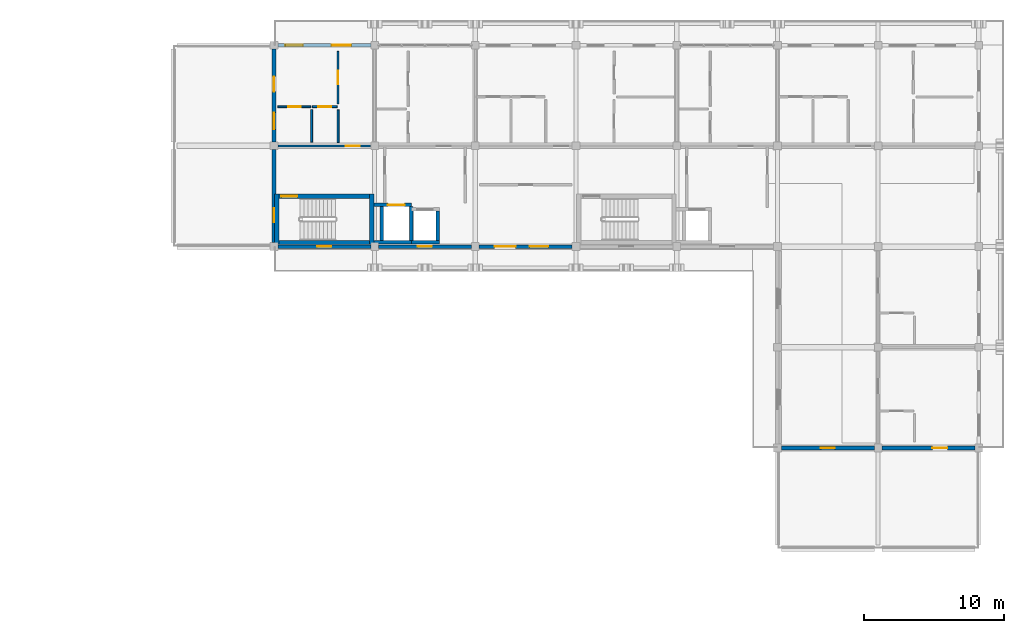
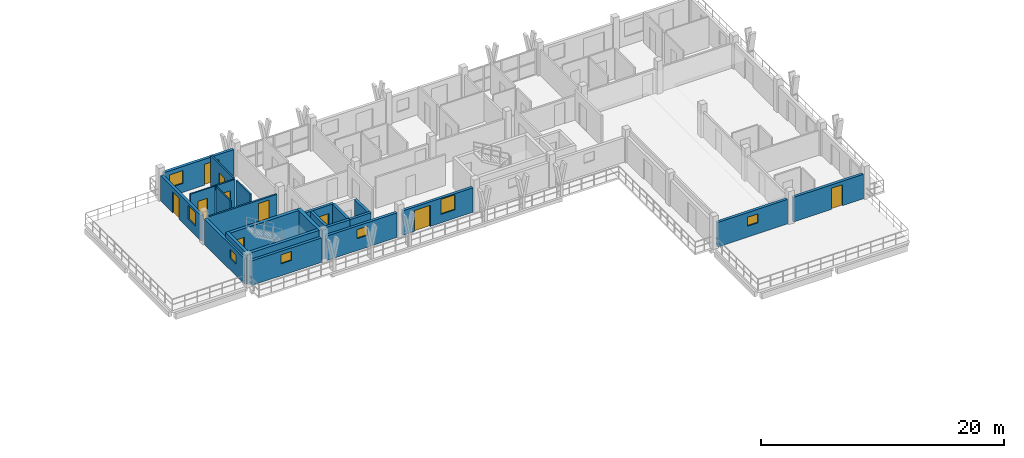
# One storey, part 44 of 60: 24 walls, 10 doors, 7 windows, 17 openings.
"""IFC4 building model written with IfcOpenShell, lengths in metres."""

from ifc_helpers import new_model, si_unit, direction, frame, frame_2d, origin, place, context, subcontext, project, spatial, rectangle, extrude, material, layer, layer_set, type_object, element, fill, save


model = new_model("IFC4")

# Units and contexts
model_context = context("Model", 3, precision=1e-05, world=origin(), true_north=direction((0.0, 1.0)))
body_context = subcontext(model_context, "Body", "Model", "MODEL_VIEW")
ifc_project = project(units=[si_unit("LENGTHUNIT", "METRE"), si_unit("AREAUNIT", "SQUARE_METRE"), si_unit("VOLUMEUNIT", "CUBIC_METRE"), si_unit("PLANEANGLEUNIT", "RADIAN"), si_unit("MASSUNIT", "GRAM", prefix="KILO")], contexts=[model_context])

# Site, building, storey
site_placement = place(None, origin())
site = spatial("IfcSite", under=ifc_project, at=site_placement, CompositionType="ELEMENT")
building_placement = place(site_placement, origin())
building = spatial("IfcBuilding", under=site, at=building_placement, Name="Suanplinth Sawtooth Commons", CompositionType="ELEMENT")
storey_placement = place(building_placement, frame((0.0, 0.0, 31.5)))
storey = spatial("IfcBuildingStorey", under=building, at=storey_placement, Name="L09", CompositionType="ELEMENT", Elevation=31.5)

# Wall
ifc_material_1 = material(Name="Concrete C40/50", Category="concrete")
ifc_layer_1 = layer(ifc_material_1, 0.300048828125, Name="Standard RC stair and lift core wall 300mm")
ifc_layer_set_1 = layer_set([ifc_layer_1], Name="Concrete C40/50")
wall_type_1 = type_object("IfcWallType", Name="W-CR02", PredefinedType="SHEAR", material=ifc_layer_set_1)
wall_1_placement = place(storey_placement, frame((137.14990234375, 108.300048828125, 0.0), z_axis=(0.0, 0.0, 1.0), x_axis=(1.0, 0.0, 0.0)))
element("IfcWall", 1, at=wall_1_placement, inside=storey, type_object=wall_type_1, Name="W-L09-C-B1-STS", PredefinedType="SHEAR", context=body_context, shape_type="SweptSolid", body=[
    extrude(rectangle(XDim=6.5, YDim=0.300048828125, at=frame_2d((3.25, 0.0))), origin(), (0.0, 0.0, 1.0), 3.080078125),
])

# Wall, opening, door
wall_2_placement = place(storey_placement, frame((137.14990234375, 111.60009765625, 0.0), z_axis=(0.0, 0.0, 1.0), x_axis=(1.0, 0.0, 0.0)))
wall_2 = element("IfcWall", 2, at=wall_2_placement, inside=storey, type_object=wall_type_1, Name="W-L09-C-B1-STN", PredefinedType="SHEAR", context=body_context, shape_type="SweptSolid", body=[
    extrude(rectangle(XDim=6.5, YDim=0.300048828125, at=frame_2d((3.25, 0.0))), origin(), (0.0, 0.0, 1.0), 3.080078125),
])
opening_1_placement = place(wall_2_placement, frame((0.179931640625, 0.0, 0.0)))
opening_1 = element("IfcOpeningElement", 3, at=opening_1_placement, cuts=wall_2, Name="Opening FD0204", PredefinedType="OPENING", context=body_context, shape_type="SweptSolid", body=[
    extrude(rectangle(XDim=1.14990234375, YDim=2.199951171875, at=frame_2d((0.574951171875, 1.10009765625))), frame((0.0, 0.1650390625, 0.0), z_axis=(0.0, -1.0, 0.0), x_axis=(1.0, 0.0, 0.0)), (0.0, 0.0, 1.0), 0.329833984375),
])
ifc_material_2 = material(Name="Teak hardwood fire-rated door assembly", Category="wood")
door_type_1 = type_object("IfcDoorType", Name="FD-01", OperationType="NOTDEFINED", PredefinedType="DOOR", material=ifc_material_2)
door_1_placement = place(opening_1_placement, frame((1.14990234375, 0.0, 0.0), z_axis=(0.0, 0.0, 1.0), x_axis=(-1.0, 0.0, 0.0)))
door_1 = element("IfcDoor", 4, at=door_1_placement, inside=storey, type_object=door_type_1, Name="Exit Stair Fire Door FD0204", OperationType="SINGLE_SWING_RIGHT", OverallHeight=2.199951171875, OverallWidth=1.14990234375, PredefinedType="DOOR", context=body_context, shape_type="SweptSolid", body=[
    extrude(rectangle(XDim=1.14990234375, YDim=2.199951171875, at=frame_2d((0.574951171875, 1.10009765625))), frame((0.0, 0.02490234375, 0.0), z_axis=(0.0, -1.0, 0.0), x_axis=(1.0, 0.0, 0.0)), (0.0, 0.0, 1.0), 0.050048828125),
])
fill(opening_1, door_1)

# Walls
for number, where, z_axis, x_axis, name in (
    (5, (137.0, 108.14990234375, 0.0), (0.0, 0.0, 1.0), (0.0, 1.0, 0.0), "W-L09-C-B1-STW"),
    (6, (143.800048828125, 108.14990234375, 0.0), (0.0, 0.0, 1.0), (0.0, 1.0, 0.0), "W-L09-C-B1-STE"),
):
    element("IfcWall", number, at=place(storey_placement, frame(where, z_axis=z_axis, x_axis=x_axis)), inside=storey, type_object=wall_type_1, Name=name, PredefinedType="SHEAR", context=body_context, shape_type="SweptSolid", body=[
        extrude(rectangle(XDim=3.60009765625, YDim=0.300048828125, at=frame_2d((1.800048828125, 0.0))), origin(), (0.0, 0.0, 1.0), 3.080078125),
    ])

# Wall, opening, window
ifc_material_3 = material(Name="Precast concrete C40/50", Category="concrete")
ifc_layer_2 = layer(ifc_material_3, 0.260009765625, Name="Insulated precast courtyard facade wall 260mm")
ifc_layer_set_2 = layer_set([ifc_layer_2], Name="Precast concrete C40/50")
wall_type_2 = type_object("IfcWallType", Name="W-EX02", PredefinedType="ELEMENTEDWALL", material=ifc_layer_set_2)
wall_3_placement = place(storey_placement, frame((137.074951171875, 108.0, 0.0), z_axis=(0.0, 0.0, 1.0), x_axis=(1.0, 0.0, 0.0)))
wall_3 = element("IfcWall", 7, at=wall_3_placement, inside=storey, type_object=wall_type_2, Name="Facade Wall W-L09-B-S-19-15", PredefinedType="ELEMENTEDWALL", context=body_context, shape_type="SweptSolid", body=[
    extrude(rectangle(XDim=6.650146484375, YDim=0.260009765625, at=frame_2d((3.3251953125, 0.0))), origin(), (0.0, 0.0, 1.0), 2.465087890625),
])
opening_2_placement = place(wall_3_placement, frame((2.824951171875, 0.0, 1.199951171875)))
opening_2 = element("IfcOpeningElement", 8, at=opening_2_placement, cuts=wall_3, Name="Opening W0785", PredefinedType="OPENING", context=body_context, shape_type="SweptSolid", body=[
    extrude(rectangle(XDim=1.0, YDim=0.89990234375, at=frame_2d((0.5, 0.449951171875))), frame((0.0, 0.14501953125, 0.0), z_axis=(0.0, -1.0, 0.0), x_axis=(1.0, 0.0, 0.0)), (0.0, 0.0, 1.0), 0.289794921875),
])
ifc_material_4 = material(Name="Thermally broken aluminium and low-E double glazing", Category="aluminium")
window_type_1 = type_object("IfcWindowType", Name="WN-12", PartitioningType="SINGLE_PANEL", PredefinedType="WINDOW", material=ifc_material_4)
window_1_placement = place(opening_2_placement, origin())
window_1 = element("IfcWindow", 9, at=window_1_placement, inside=storey, type_object=window_type_1, Name="Core Daylight Window L09-B-19-15", OverallHeight=0.89990234375, OverallWidth=1.0, PartitioningType="SINGLE_PANEL", PredefinedType="WINDOW", context=body_context, shape_type="SweptSolid", body=[
    extrude(rectangle(XDim=1.0, YDim=0.89990234375, at=frame_2d((0.5, 0.449951171875))), frame((0.0, 0.030029296875, 0.0), z_axis=(0.0, -1.0, 0.0), x_axis=(1.0, 0.0, 0.0)), (0.0, 0.0, 1.0), 0.06005859375),
])
fill(opening_2, window_1)

wall_4_placement = place(storey_placement, frame((136.800048828125, 108.27490234375, 0.0), z_axis=(0.0, 0.0, 1.0), x_axis=(0.0, 1.0, 0.0)))
wall_4 = element("IfcWall", 10, at=wall_4_placement, inside=storey, type_object=wall_type_2, Name="Facade Wall W-L09-B-W-19-15", PredefinedType="ELEMENTEDWALL", context=body_context, shape_type="SweptSolid", body=[
    extrude(rectangle(XDim=6.650146484375, YDim=0.260009765625, at=frame_2d((3.3251953125, 0.0))), origin(), (0.0, 0.0, 1.0), 2.56494140625),
])
opening_3_placement = place(wall_4_placement, frame((1.449951171875, 0.0, 1.199951171875)))
opening_3 = element("IfcOpeningElement", 11, at=opening_3_placement, cuts=wall_4, Name="Opening W0786", PredefinedType="OPENING", context=body_context, shape_type="SweptSolid", body=[
    extrude(rectangle(XDim=1.0, YDim=0.89990234375, at=frame_2d((0.5, 0.449951171875))), frame((0.0, 0.14501953125, 0.0), z_axis=(0.0, -1.0, 0.0), x_axis=(1.0, 0.0, 0.0)), (0.0, 0.0, 1.0), 0.289794921875),
])
window_2_placement = place(opening_3_placement, origin())
window_2 = element("IfcWindow", 12, at=window_2_placement, inside=storey, type_object=window_type_1, Name="Core Daylight Window L09-B-19-15", OverallHeight=0.89990234375, OverallWidth=1.0, PartitioningType="SINGLE_PANEL", PredefinedType="WINDOW", context=body_context, shape_type="SweptSolid", body=[
    extrude(rectangle(XDim=1.0, YDim=0.89990234375, at=frame_2d((0.5, 0.449951171875))), frame((0.0, 0.030029296875, 0.0), z_axis=(0.0, -1.0, 0.0), x_axis=(1.0, 0.0, 0.0)), (0.0, 0.0, 1.0), 0.06005859375),
])
fill(opening_3, window_2)

# Wall, openings, door, window
wall_5_placement = place(storey_placement, frame((137.074951171875, 122.39990234375, 0.0), z_axis=(0.0, 0.0, 1.0), x_axis=(1.0, 0.0, 0.0)))
wall_5 = element("IfcWall", 13, at=wall_5_placement, inside=storey, type_object=wall_type_2, Name="Facade Wall W-L09-B-N-19-16", PredefinedType="ELEMENTEDWALL", context=body_context, shape_type="SweptSolid", body=[
    extrude(rectangle(XDim=6.650146484375, YDim=0.260009765625, at=frame_2d((3.3251953125, 0.0))), origin(), (0.0, 0.0, 1.0), 2.614990234375),
])
opening_4_placement = place(wall_5_placement, frame((3.85009765625, 0.0, 0.0)))
opening_4 = element("IfcOpeningElement", 14, at=opening_4_placement, cuts=wall_5, Name="Opening ED0707", PredefinedType="OPENING", context=body_context, shape_type="SweptSolid", body=[
    extrude(rectangle(XDim=1.39990234375, YDim=2.10009765625, at=frame_2d((0.699951171875, 1.050048828125))), frame((0.0, 0.14501953125, 0.0), z_axis=(0.0, -1.0, 0.0), x_axis=(1.0, 0.0, 0.0)), (0.0, 0.0, 1.0), 0.289794921875),
])
opening_5_placement = place(wall_5_placement, frame((0.550048828125, 0.0, 0.89990234375)))
opening_5 = element("IfcOpeningElement", 15, at=opening_5_placement, cuts=wall_5, Name="Opening W0787", PredefinedType="OPENING", context=body_context, shape_type="SweptSolid", body=[
    extrude(rectangle(XDim=1.25, YDim=1.300048828125, at=frame_2d((0.625, 0.64990234375))), frame((0.0, 0.14501953125, 0.0), z_axis=(0.0, -1.0, 0.0), x_axis=(1.0, 0.0, 0.0)), (0.0, 0.0, 1.0), 0.289794921875),
])
ifc_material_5 = material(Name="Anodized aluminium and low-E glass", Category="aluminium")
door_type_2 = type_object("IfcDoorType", Name="SD-07", OperationType="SLIDING_TO_RIGHT", PredefinedType="DOOR", material=ifc_material_5)
door_2_placement = place(opening_4_placement, frame((1.39990234375, 0.0, 0.0), z_axis=(0.0, 0.0, 1.0), x_axis=(-1.0, 0.0, 0.0)))
door_2 = element("IfcDoor", 16, at=door_2_placement, inside=storey, type_object=door_type_2, Name="Balcony Sliding Door L09-B-19", OperationType="SLIDING_TO_RIGHT", OverallHeight=2.10009765625, OverallWidth=1.39990234375, PredefinedType="DOOR", context=body_context, shape_type="SweptSolid", body=[
    extrude(rectangle(XDim=1.39990234375, YDim=2.10009765625, at=frame_2d((0.699951171875, 1.050048828125))), frame((0.0, 0.02490234375, 0.0), z_axis=(0.0, -1.0, 0.0), x_axis=(1.0, 0.0, 0.0)), (0.0, 0.0, 1.0), 0.050048828125),
])
fill(opening_4, door_2)
window_type_2 = type_object("IfcWindowType", Name="WN-17", PartitioningType="SINGLE_PANEL", PredefinedType="WINDOW", material=ifc_material_4)
window_3_placement = place(opening_5_placement, origin())
window_3 = element("IfcWindow", 17, at=window_3_placement, inside=storey, type_object=window_type_2, Name="Apartment Window L09-B-19", OverallHeight=1.300048828125, OverallWidth=1.25, PartitioningType="SINGLE_PANEL", PredefinedType="WINDOW", context=body_context, shape_type="SweptSolid", body=[
    extrude(rectangle(XDim=1.25, YDim=1.300048828125, at=frame_2d((0.625, 0.64990234375))), frame((0.0, 0.030029296875, 0.0), z_axis=(0.0, -1.0, 0.0), x_axis=(1.0, 0.0, 0.0)), (0.0, 0.0, 1.0), 0.06005859375),
])
fill(opening_5, window_3)

wall_6_placement = place(storey_placement, frame((136.800048828125, 115.47509765625, 0.0), z_axis=(0.0, 0.0, 1.0), x_axis=(0.0, 1.0, 0.0)))
wall_6 = element("IfcWall", 18, at=wall_6_placement, inside=storey, type_object=wall_type_2, Name="Facade Wall W-L09-B-W-19-16", PredefinedType="ELEMENTEDWALL", context=body_context, shape_type="SweptSolid", body=[
    extrude(rectangle(XDim=6.64990234375, YDim=0.260009765625, at=frame_2d((3.324951171875, 0.0))), origin(), (0.0, 0.0, 1.0), 2.56494140625),
])
opening_6_placement = place(wall_6_placement, frame((3.60009765625, 0.0, 0.0)))
opening_6 = element("IfcOpeningElement", 19, at=opening_6_placement, cuts=wall_6, Name="Opening ED0708", PredefinedType="OPENING", context=body_context, shape_type="SweptSolid", body=[
    extrude(rectangle(XDim=1.080078125, YDim=2.1201171875, at=frame_2d((0.5400390625, 1.06005859375))), frame((0.0, 0.14501953125, 0.0), z_axis=(0.0, -1.0, 0.0), x_axis=(1.0, 0.0, 0.0)), (0.0, 0.0, 1.0), 0.289794921875),
])
opening_7_placement = place(wall_6_placement, frame((0.89990234375, 0.0, 0.949951171875)))
opening_7 = element("IfcOpeningElement", 20, at=opening_7_placement, cuts=wall_6, Name="Opening W0788", PredefinedType="OPENING", context=body_context, shape_type="SweptSolid", body=[
    extrude(rectangle(XDim=1.199951171875, YDim=1.35009765625, at=frame_2d((0.60009765625, 0.675048828125))), frame((0.0, 0.14501953125, 0.0), z_axis=(0.0, -1.0, 0.0), x_axis=(1.0, 0.0, 0.0)), (0.0, 0.0, 1.0), 0.289794921875),
])
door_type_3 = type_object("IfcDoorType", Name="ED-10", OperationType="NOTDEFINED", PredefinedType="DOOR", material=ifc_material_5)
door_3_placement = place(opening_6_placement, frame((1.080078125, 0.0, 0.0), z_axis=(0.0, 0.0, 1.0), x_axis=(-1.0, 0.0, 0.0)))
door_3 = element("IfcDoor", 21, at=door_3_placement, inside=storey, type_object=door_type_3, Name="L09 Block B Stepped Sky-Terrace Door 1", OperationType="SINGLE_SWING_RIGHT", OverallHeight=2.1201171875, OverallWidth=1.080078125, PredefinedType="DOOR", context=body_context, shape_type="SweptSolid", body=[
    extrude(rectangle(XDim=1.080078125, YDim=2.1201171875, at=frame_2d((0.5400390625, 1.06005859375))), frame((0.0, 0.02490234375, 0.0), z_axis=(0.0, -1.0, 0.0), x_axis=(1.0, 0.0, 0.0)), (0.0, 0.0, 1.0), 0.050048828125),
])
fill(opening_6, door_3)
window_type_3 = type_object("IfcWindowType", Name="WN-03", PartitioningType="SINGLE_PANEL", PredefinedType="WINDOW", material=ifc_material_4)
window_4_placement = place(opening_7_placement, origin())
window_4 = element("IfcWindow", 22, at=window_4_placement, inside=storey, type_object=window_type_3, Name="Terrace Bedroom Window L09-B-19-16", OverallHeight=1.35009765625, OverallWidth=1.199951171875, PartitioningType="SINGLE_PANEL", PredefinedType="WINDOW", context=body_context, shape_type="SweptSolid", body=[
    extrude(rectangle(XDim=1.199951171875, YDim=1.35009765625, at=frame_2d((0.60009765625, 0.675048828125))), frame((0.0, 0.030029296875, 0.0), z_axis=(0.0, -1.0, 0.0), x_axis=(1.0, 0.0, 0.0)), (0.0, 0.0, 1.0), 0.06005859375),
])
fill(opening_7, window_4)

# Wall, opening, window
wall_7_placement = place(storey_placement, frame((144.27490234375, 108.0, 0.0), z_axis=(0.0, 0.0, 1.0), x_axis=(1.0, 0.0, 0.0)))
wall_7 = element("IfcWall", 23, at=wall_7_placement, inside=storey, type_object=wall_type_2, Name="Facade Wall W-L09-B-S-20-15", PredefinedType="ELEMENTEDWALL", context=body_context, shape_type="SweptSolid", body=[
    extrude(rectangle(XDim=6.650146484375, YDim=0.260009765625, at=frame_2d((3.3251953125, 0.0))), origin(), (0.0, 0.0, 1.0), 2.465087890625),
])
opening_8_placement = place(wall_7_placement, frame((2.824951171875, 0.0, 1.199951171875)))
opening_8 = element("IfcOpeningElement", 24, at=opening_8_placement, cuts=wall_7, Name="Opening W0789", PredefinedType="OPENING", context=body_context, shape_type="SweptSolid", body=[
    extrude(rectangle(XDim=1.0, YDim=0.89990234375, at=frame_2d((0.5, 0.449951171875))), frame((0.0, 0.14501953125, 0.0), z_axis=(0.0, -1.0, 0.0), x_axis=(1.0, 0.0, 0.0)), (0.0, 0.0, 1.0), 0.289794921875),
])
window_5_placement = place(opening_8_placement, origin())
window_5 = element("IfcWindow", 25, at=window_5_placement, inside=storey, type_object=window_type_1, Name="Core Daylight Window L09-B-20-15", OverallHeight=0.89990234375, OverallWidth=1.0, PartitioningType="SINGLE_PANEL", PredefinedType="WINDOW", context=body_context, shape_type="SweptSolid", body=[
    extrude(rectangle(XDim=1.0, YDim=0.89990234375, at=frame_2d((0.5, 0.449951171875))), frame((0.0, 0.030029296875, 0.0), z_axis=(0.0, -1.0, 0.0), x_axis=(1.0, 0.0, 0.0)), (0.0, 0.0, 1.0), 0.06005859375),
])
fill(opening_8, window_5)

# Wall, openings, door, window
wall_8_placement = place(storey_placement, frame((151.47509765625, 108.0, 0.0), z_axis=(0.0, 0.0, 1.0), x_axis=(1.0, 0.0, 0.0)))
wall_8 = element("IfcWall", 26, at=wall_8_placement, inside=storey, type_object=wall_type_2, Name="Facade Wall W-L09-B-S-21-15", PredefinedType="ELEMENTEDWALL", context=body_context, shape_type="SweptSolid", body=[
    extrude(rectangle(XDim=6.64990234375, YDim=0.260009765625, at=frame_2d((3.324951171875, 0.0))), origin(), (0.0, 0.0, 1.0), 2.465087890625),
])
opening_9_placement = place(wall_8_placement, frame((1.10009765625, 0.0, 0.0)))
opening_9 = element("IfcOpeningElement", 27, at=opening_9_placement, cuts=wall_8, Name="Opening ED0709", PredefinedType="OPENING", context=body_context, shape_type="SweptSolid", body=[
    extrude(rectangle(XDim=1.5, YDim=2.1201171875, at=frame_2d((0.75, 1.06005859375))), frame((0.0, 0.14501953125, 0.0), z_axis=(0.0, -1.0, 0.0), x_axis=(1.0, 0.0, 0.0)), (0.0, 0.0, 1.0), 0.289794921875),
])
opening_10_placement = place(wall_8_placement, frame((3.60009765625, 0.0, 0.85498046875)))
opening_10 = element("IfcOpeningElement", 28, at=opening_10_placement, cuts=wall_8, Name="Opening W0790", PredefinedType="OPENING", context=body_context, shape_type="SweptSolid", body=[
    extrude(rectangle(XDim=1.35009765625, YDim=1.5, at=frame_2d((0.675048828125, 0.75))), frame((0.0, 0.14501953125, 0.0), z_axis=(0.0, -1.0, 0.0), x_axis=(1.0, 0.0, 0.0)), (0.0, 0.0, 1.0), 0.289794921875),
])
door_type_4 = type_object("IfcDoorType", Name="SD-03", OperationType="SLIDING_TO_LEFT", PredefinedType="DOOR", material=ifc_material_5)
door_4_placement = place(opening_9_placement, frame((1.5, 0.0, 0.0), z_axis=(0.0, 0.0, 1.0), x_axis=(-1.0, 0.0, 0.0)))
door_4 = element("IfcDoor", 29, at=door_4_placement, inside=storey, type_object=door_type_4, Name="Courtyard Balcony Door L09-B-21", OperationType="SLIDING_TO_LEFT", OverallHeight=2.1201171875, OverallWidth=1.5, PredefinedType="DOOR", context=body_context, shape_type="SweptSolid", body=[
    extrude(rectangle(XDim=1.5, YDim=2.1201171875, at=frame_2d((0.75, 1.06005859375))), frame((0.0, 0.02490234375, 0.0), z_axis=(0.0, -1.0, 0.0), x_axis=(1.0, 0.0, 0.0)), (0.0, 0.0, 1.0), 0.050048828125),
])
fill(opening_9, door_4)
window_type_4 = type_object("IfcWindowType", Name="WN-14", PartitioningType="SINGLE_PANEL", PredefinedType="WINDOW", material=ifc_material_4)
window_6_placement = place(opening_10_placement, origin())
window_6 = element("IfcWindow", 30, at=window_6_placement, inside=storey, type_object=window_type_4, Name="Courtyard Window L09-B-21", OverallHeight=1.5, OverallWidth=1.35009765625, PartitioningType="SINGLE_PANEL", PredefinedType="WINDOW", context=body_context, shape_type="SweptSolid", body=[
    extrude(rectangle(XDim=1.35009765625, YDim=1.5, at=frame_2d((0.675048828125, 0.75))), frame((0.0, 0.030029296875, 0.0), z_axis=(0.0, -1.0, 0.0), x_axis=(1.0, 0.0, 0.0)), (0.0, 0.0, 1.0), 0.06005859375),
])
fill(opening_10, window_6)

# Wall, opening, window
wall_9_placement = place(storey_placement, frame((173.074951171875, 93.60009765625, 0.0), z_axis=(0.0, 0.0, 1.0), x_axis=(1.0, 0.0, 0.0)))
wall_9 = element("IfcWall", 31, at=wall_9_placement, inside=storey, type_object=wall_type_2, Name="Facade Wall W-L09-B-S-24-13", PredefinedType="ELEMENTEDWALL", context=body_context, shape_type="SweptSolid", body=[
    extrude(rectangle(XDim=6.650146484375, YDim=0.260009765625, at=frame_2d((3.3251953125, 0.0))), origin(), (0.0, 0.0, 1.0), 2.465087890625),
])
opening_11_placement = place(wall_9_placement, frame((2.824951171875, 0.0, 1.10009765625)))
opening_11 = element("IfcOpeningElement", 32, at=opening_11_placement, cuts=wall_9, Name="Opening W0795", PredefinedType="OPENING", context=body_context, shape_type="SweptSolid", body=[
    extrude(rectangle(XDim=1.0, YDim=0.89990234375, at=frame_2d((0.5, 0.449951171875))), frame((0.0, 0.14501953125, 0.0), z_axis=(0.0, -1.0, 0.0), x_axis=(1.0, 0.0, 0.0)), (0.0, 0.0, 1.0), 0.289794921875),
])
window_7_placement = place(opening_11_placement, origin())
window_7 = element("IfcWindow", 33, at=window_7_placement, inside=storey, type_object=window_type_1, Name="End Window L09-B-S-24-13", OverallHeight=0.89990234375, OverallWidth=1.0, PartitioningType="SINGLE_PANEL", PredefinedType="WINDOW", context=body_context, shape_type="SweptSolid", body=[
    extrude(rectangle(XDim=1.0, YDim=0.89990234375, at=frame_2d((0.5, 0.449951171875))), frame((0.0, 0.030029296875, 0.0), z_axis=(0.0, -1.0, 0.0), x_axis=(1.0, 0.0, 0.0)), (0.0, 0.0, 1.0), 0.06005859375),
])
fill(opening_11, window_7)

# Wall, opening, door
wall_10_placement = place(storey_placement, frame((180.27490234375, 93.60009765625, 0.0), z_axis=(0.0, 0.0, 1.0), x_axis=(1.0, 0.0, 0.0)))
wall_10 = element("IfcWall", 34, at=wall_10_placement, inside=storey, type_object=wall_type_2, Name="Facade Wall W-L09-B-S-25-13", PredefinedType="ELEMENTEDWALL", context=body_context, shape_type="SweptSolid", body=[
    extrude(rectangle(XDim=6.650146484375, YDim=0.260009765625, at=frame_2d((3.3251953125, 0.0))), origin(), (0.0, 0.0, 1.0), 2.465087890625),
])
opening_12_placement = place(wall_10_placement, frame((3.60009765625, 0.0, 0.0)))
opening_12 = element("IfcOpeningElement", 35, at=opening_12_placement, cuts=wall_10, Name="Opening ED0715", PredefinedType="OPENING", context=body_context, shape_type="SweptSolid", body=[
    extrude(rectangle(XDim=1.080078125, YDim=2.1201171875, at=frame_2d((0.5400390625, 1.06005859375))), frame((0.0, 0.14501953125, 0.0), z_axis=(0.0, -1.0, 0.0), x_axis=(1.0, 0.0, 0.0)), (0.0, 0.0, 1.0), 0.289794921875),
])
door_5_placement = place(opening_12_placement, frame((1.080078125, 0.0, 0.0), z_axis=(0.0, 0.0, 1.0), x_axis=(-1.0, 0.0, 0.0)))
door_5 = element("IfcDoor", 36, at=door_5_placement, inside=storey, type_object=door_type_3, Name="L09 Block B Stepped Sky-Terrace Door 2", OperationType="SINGLE_SWING_RIGHT", OverallHeight=2.1201171875, OverallWidth=1.080078125, PredefinedType="DOOR", context=body_context, shape_type="SweptSolid", body=[
    extrude(rectangle(XDim=1.080078125, YDim=2.1201171875, at=frame_2d((0.5400390625, 1.06005859375))), frame((0.0, 0.02490234375, 0.0), z_axis=(0.0, -1.0, 0.0), x_axis=(1.0, 0.0, 0.0)), (0.0, 0.0, 1.0), 0.050048828125),
])
fill(opening_12, door_5)

ifc_layer_3 = layer(ifc_material_3, 0.159912109375, Name="Fire-rated corridor and lobby wall 160mm")
ifc_layer_set_3 = layer_set([ifc_layer_3], Name="Precast concrete C40/50")
wall_type_3 = type_object("IfcWallType", Name="W-FW01", PredefinedType="PARTITIONING", material=ifc_layer_set_3)
wall_11_placement = place(storey_placement, frame((137.10498046875, 115.199951171875, 0.0), z_axis=(0.0, 0.0, 1.0), x_axis=(1.0, 0.0, 0.0)))
wall_11 = element("IfcWall", 37, at=wall_11_placement, inside=storey, type_object=wall_type_3, Name="W-B-L09-U01-COR", PredefinedType="PARTITIONING", context=body_context, shape_type="SweptSolid", body=[
    extrude(rectangle(XDim=6.590087890625, YDim=0.159912109375, at=frame_2d((3.294921875, 0.0))), origin(), (0.0, 0.0, 1.0), 2.465087890625),
])
opening_13_placement = place(wall_11_placement, frame((4.844970703125, 0.0, 0.0)))
opening_13 = element("IfcOpeningElement", 38, at=opening_13_placement, cuts=wall_11, Name="Opening FD1793", PredefinedType="OPENING", context=body_context, shape_type="SweptSolid", body=[
    extrude(rectangle(XDim=1.0, YDim=2.14990234375, at=frame_2d((0.5, 1.074951171875))), frame((0.0, 0.0947265625, 0.0), z_axis=(0.0, -1.0, 0.0), x_axis=(1.0, 0.0, 0.0)), (0.0, 0.0, 1.0), 0.189697265625),
])
door_type_5 = type_object("IfcDoorType", Name="FD-03", OperationType="NOTDEFINED", PredefinedType="DOOR", material=ifc_material_2)
door_6_placement = place(opening_13_placement, origin())
door_6 = element("IfcDoor", 39, at=door_6_placement, inside=storey, type_object=door_type_5, Name="Unit Entrance Door FD1793", OperationType="SINGLE_SWING_LEFT", OverallHeight=2.14990234375, OverallWidth=1.0, PredefinedType="DOOR", context=body_context, shape_type="SweptSolid", body=[
    extrude(rectangle(XDim=1.0, YDim=2.14990234375, at=frame_2d((0.5, 1.074951171875))), frame((0.0, 0.02490234375, 0.0), z_axis=(0.0, -1.0, 0.0), x_axis=(1.0, 0.0, 0.0)), (0.0, 0.0, 1.0), 0.050048828125),
])
fill(opening_13, door_6)

ifc_material_6 = material(Name="Gypsum plasterboard on steel stud", Category="steel")
ifc_layer_4 = layer(ifc_material_6, 0.139892578125, Name="Fire-rated kitchen partition 140mm")
ifc_layer_set_4 = layer_set([ifc_layer_4], Name="Gypsum plasterboard on steel stud")
wall_type_4 = type_object("IfcWallType", Name="W-PT01", PredefinedType="PARTITIONING", material=ifc_layer_set_4)
wall_12_placement = place(storey_placement, frame((139.550048828125, 118.0, 0.0), z_axis=(0.0, 0.0, 1.0), x_axis=(1.0, 0.0, 0.0)))
wall_12 = element("IfcWall", 40, at=wall_12_placement, inside=storey, type_object=wall_type_4, Name="W-B-L09-U01-KIT1", PredefinedType="PARTITIONING", context=body_context, shape_type="SweptSolid", body=[
    extrude(rectangle(XDim=1.77001953125, YDim=0.139892578125, at=frame_2d((0.885009765625, 0.0))), origin(), (0.0, 0.0, 1.0), 3.080078125),
])
opening_14_placement = place(wall_12_placement, frame((0.425048828125, 0.0, 0.0)))
opening_14 = element("IfcOpeningElement", 41, at=opening_14_placement, cuts=wall_12, Name="Opening D1795", PredefinedType="OPENING", context=body_context, shape_type="SweptSolid", body=[
    extrude(rectangle(XDim=0.919921875, YDim=2.10009765625, at=frame_2d((0.4599609375, 1.050048828125))), frame((0.0, 0.0849609375, 0.0), z_axis=(0.0, -1.0, 0.0), x_axis=(1.0, 0.0, 0.0)), (0.0, 0.0, 1.0), 0.169677734375),
])
ifc_material_7 = material(Name="Teak hardwood", Category="wood")
door_type_6 = type_object("IfcDoorType", Name="D-02", OperationType="NOTDEFINED", PredefinedType="DOOR", material=ifc_material_7)
door_7_placement = place(opening_14_placement, frame((0.919921875, 0.0, 0.0), z_axis=(0.0, 0.0, 1.0), x_axis=(-1.0, 0.0, 0.0)))
door_7 = element("IfcDoor", 42, at=door_7_placement, inside=storey, type_object=door_type_6, Name="Kitchen Door D1795", OperationType="SINGLE_SWING_LEFT", OverallHeight=2.10009765625, OverallWidth=0.919921875, PredefinedType="DOOR", context=body_context, shape_type="SweptSolid", body=[
    extrude(rectangle(XDim=0.919921875, YDim=2.10009765625, at=frame_2d((0.4599609375, 1.050048828125))), frame((0.0, 0.02490234375, 0.0), z_axis=(0.0, -1.0, 0.0), x_axis=(1.0, 0.0, 0.0)), (0.0, 0.0, 1.0), 0.050048828125),
])
fill(opening_14, door_7)

# Wall
wall_13_placement = place(storey_placement, frame((141.389892578125, 115.429931640625, 0.0), z_axis=(0.0, 0.0, 1.0), x_axis=(0.0, 1.0, 0.0)))
element("IfcWall", 43, at=wall_13_placement, inside=storey, type_object=wall_type_4, Name="W-B-L09-U01-KIT2", PredefinedType="PARTITIONING", context=body_context, shape_type="SweptSolid", body=[
    extrude(rectangle(XDim=2.35009765625, YDim=0.139892578125, at=frame_2d((1.175048828125, 0.0))), origin(), (0.0, 0.0, 1.0), 3.080078125),
])

# Wall, opening, door
ifc_layer_5 = layer(ifc_material_6, 0.1298828125, Name="Moisture-resistant bathroom partition 130mm")
ifc_layer_set_5 = layer_set([ifc_layer_5], Name="Gypsum plasterboard on steel stud")
wall_type_5 = type_object("IfcWallType", Name="W-PT02", PredefinedType="PARTITIONING", material=ifc_layer_set_5)
wall_14_placement = place(storey_placement, frame((137.080078125, 117.9951171875, 0.0), z_axis=(0.0, 0.0, 1.0), x_axis=(1.0, 0.0, 0.0)))
wall_14 = element("IfcWall", 44, at=wall_14_placement, inside=storey, type_object=wall_type_5, Name="W-B-L09-U01-BTH1", PredefinedType="PARTITIONING", context=body_context, shape_type="SweptSolid", body=[
    extrude(rectangle(XDim=2.349853515625, YDim=0.1298828125, at=frame_2d((1.1748046875, 0.0))), origin(), (0.0, 0.0, 1.0), 3.080078125),
])
opening_15_placement = place(wall_14_placement, frame((0.72509765625, 0.0, 0.0)))
opening_15 = element("IfcOpeningElement", 45, at=opening_15_placement, cuts=wall_14, Name="Opening D1794", PredefinedType="OPENING", context=body_context, shape_type="SweptSolid", body=[
    extrude(rectangle(XDim=0.89990234375, YDim=2.10009765625, at=frame_2d((0.449951171875, 1.050048828125))), frame((0.0, 0.079833984375, 0.0), z_axis=(0.0, -1.0, 0.0), x_axis=(1.0, 0.0, 0.0)), (0.0, 0.0, 1.0), 0.15966796875),
])
door_type_7 = type_object("IfcDoorType", Name="D-01", OperationType="NOTDEFINED", PredefinedType="DOOR", material=ifc_material_7)
door_8_placement = place(opening_15_placement, frame((0.89990234375, 0.0, 0.0), z_axis=(0.0, 0.0, 1.0), x_axis=(-1.0, 0.0, 0.0)))
door_8 = element("IfcDoor", 46, at=door_8_placement, inside=storey, type_object=door_type_7, Name="Bathroom Door D1794", OperationType="SINGLE_SWING_RIGHT", OverallHeight=2.10009765625, OverallWidth=0.89990234375, PredefinedType="DOOR", context=body_context, shape_type="SweptSolid", body=[
    extrude(rectangle(XDim=0.89990234375, YDim=2.10009765625, at=frame_2d((0.449951171875, 1.050048828125))), frame((0.0, 0.02490234375, 0.0), z_axis=(0.0, -1.0, 0.0), x_axis=(1.0, 0.0, 0.0)), (0.0, 0.0, 1.0), 0.050048828125),
])
fill(opening_15, door_8)

# Wall
wall_15_placement = place(storey_placement, frame((139.4951171875, 115.4599609375, 0.0), z_axis=(0.0, 0.0, 1.0), x_axis=(0.0, 1.0, 0.0)))
element("IfcWall", 47, at=wall_15_placement, inside=storey, type_object=wall_type_5, Name="W-B-L09-U01-BTH2", PredefinedType="PARTITIONING", context=body_context, shape_type="SweptSolid", body=[
    extrude(rectangle(XDim=2.330078125, YDim=0.1298828125, at=frame_2d((1.1650390625, 0.0))), origin(), (0.0, 0.0, 1.0), 3.080078125),
])

# Wall, opening, door
ifc_layer_6 = layer(ifc_material_6, 0.135009765625, Name="Insulated bedroom demising partition 135mm")
ifc_layer_set_6 = layer_set([ifc_layer_6], Name="Gypsum plasterboard on steel stud")
wall_type_6 = type_object("IfcWallType", Name="W-PT07", PredefinedType="PARTITIONING", material=ifc_layer_set_6)
wall_16_placement = place(storey_placement, frame((141.3798828125, 118.2099609375, 0.0), z_axis=(0.0, 0.0, 1.0), x_axis=(0.0, 1.0, 0.0)))
wall_16 = element("IfcWall", 48, at=wall_16_placement, inside=storey, type_object=wall_type_6, Name="W-B-L09-U01-BED1", PredefinedType="PARTITIONING", context=body_context, shape_type="SweptSolid", body=[
    extrude(rectangle(XDim=3.75, YDim=0.135009765625, at=frame_2d((1.875, 0.0))), origin(), (0.0, 0.0, 1.0), 3.080078125),
])
opening_16_placement = place(wall_16_placement, frame((1.39990234375, 0.0, 0.0)))
opening_16 = element("IfcOpeningElement", 49, at=opening_16_placement, cuts=wall_16, Name="Opening D1796", PredefinedType="OPENING", context=body_context, shape_type="SweptSolid", body=[
    extrude(rectangle(XDim=0.949951171875, YDim=2.14990234375, at=frame_2d((0.47509765625, 1.074951171875))), frame((0.0, 0.08251953125, 0.0), z_axis=(0.0, -1.0, 0.0), x_axis=(1.0, 0.0, 0.0)), (0.0, 0.0, 1.0), 0.164794921875),
])
door_type_8 = type_object("IfcDoorType", Name="D-03", OperationType="NOTDEFINED", PredefinedType="DOOR", material=ifc_material_7)
door_9_placement = place(opening_16_placement, origin())
door_9 = element("IfcDoor", 50, at=door_9_placement, inside=storey, type_object=door_type_8, Name="Bedroom Door D1796", OperationType="SINGLE_SWING_RIGHT", OverallHeight=2.14990234375, OverallWidth=0.949951171875, PredefinedType="DOOR", context=body_context, shape_type="SweptSolid", body=[
    extrude(rectangle(XDim=0.949951171875, YDim=2.14990234375, at=frame_2d((0.47509765625, 1.074951171875))), frame((0.0, 0.02490234375, 0.0), z_axis=(0.0, -1.0, 0.0), x_axis=(1.0, 0.0, 0.0)), (0.0, 0.0, 1.0), 0.050048828125),
])
fill(opening_16, door_9)

# Wall
ifc_layer_7 = layer(ifc_material_3, 0.25, Name="Precast structural shear wall 250mm")
ifc_layer_set_7 = layer_set([ifc_layer_7], Name="Precast concrete C40/50")
wall_type_7 = type_object("IfcWallType", Name="W-SH01", PredefinedType="SHEAR", material=ifc_layer_set_7)
wall_17_placement = place(storey_placement, frame((143.949951171875, 108.324951171875, 0.0), z_axis=(0.0, 0.0, 1.0), x_axis=(1.0, 0.0, 0.0)))
element("IfcWall", 51, at=wall_17_placement, inside=storey, type_object=wall_type_7, Name="W-L09-FL2-S", PredefinedType="SHEAR", context=body_context, shape_type="SweptSolid", body=[
    extrude(rectangle(XDim=2.675048828125, YDim=0.25, at=frame_2d((1.33740234375, 0.0))), origin(), (0.0, 0.0, 1.0), 3.080078125),
])

# Wall, opening, door
wall_18_placement = place(storey_placement, frame((143.949951171875, 110.97509765625, 0.0), z_axis=(0.0, 0.0, 1.0), x_axis=(1.0, 0.0, 0.0)))
wall_18 = element("IfcWall", 52, at=wall_18_placement, inside=storey, type_object=wall_type_7, Name="W-L09-FL2-N", PredefinedType="SHEAR", context=body_context, shape_type="SweptSolid", body=[
    extrude(rectangle(XDim=2.675048828125, YDim=0.25, at=frame_2d((1.33740234375, 0.0))), origin(), (0.0, 0.0, 1.0), 3.080078125),
])
opening_17_placement = place(wall_18_placement, frame((1.0, 0.0, 0.0)))
opening_17 = element("IfcOpeningElement", 53, at=opening_17_placement, cuts=wall_18, Name="Opening LD0207", PredefinedType="OPENING", context=body_context, shape_type="SweptSolid", body=[
    extrude(rectangle(XDim=1.199951171875, YDim=2.25, at=frame_2d((0.60009765625, 1.125))), frame((0.0, 0.139892578125, 0.0), z_axis=(0.0, -1.0, 0.0), x_axis=(1.0, 0.0, 0.0)), (0.0, 0.0, 1.0), 0.27978515625),
])
ifc_material_8 = material(Name="Stainless steel Grade 304", Category="steel")
door_type_9 = type_object("IfcDoorType", Name="LD-02", OperationType="SLIDING_TO_LEFT", PredefinedType="DOOR", material=ifc_material_8)
door_10_placement = place(opening_17_placement, origin())
door_10 = element("IfcDoor", 54, at=door_10_placement, inside=storey, type_object=door_type_9, Name="Lift Landing Sliding Door FL2 L09", OperationType="SLIDING_TO_LEFT", OverallHeight=2.25, OverallWidth=1.199951171875, PredefinedType="DOOR", context=body_context, shape_type="SweptSolid", body=[
    extrude(rectangle(XDim=1.199951171875, YDim=2.25, at=frame_2d((0.60009765625, 1.125))), frame((0.0, 0.02490234375, 0.0), z_axis=(0.0, -1.0, 0.0), x_axis=(1.0, 0.0, 0.0)), (0.0, 0.0, 1.0), 0.050048828125),
])
fill(opening_17, door_10)

# Walls
for number, where, z_axis, x_axis, name in (
    (55, (144.52490234375, 108.449951171875, 0.0), (0.0, 0.0, 1.0), (0.0, 1.0, 0.0), "W-L09-FL2-W"),
    (56, (146.625, 108.449951171875, 0.0), (0.0, 0.0, 1.0), (0.0, 1.0, 0.0), "W-L09-FL2-DIV"),
):
    element("IfcWall", number, at=place(storey_placement, frame(where, z_axis=z_axis, x_axis=x_axis)), inside=storey, type_object=wall_type_7, Name=name, PredefinedType="SHEAR", context=body_context, shape_type="SweptSolid", body=[
        extrude(rectangle(XDim=2.400146484375, YDim=0.25, at=frame_2d((1.2001953125, 0.0))), origin(), (0.0, 0.0, 1.0), 3.080078125),
    ])
wall_19_placement = place(storey_placement, frame((146.625, 108.324951171875, 0.0), z_axis=(0.0, 0.0, 1.0), x_axis=(1.0, 0.0, 0.0)))
element("IfcWall", 57, at=wall_19_placement, inside=storey, type_object=wall_type_7, Name="W-L09-LF3-S", PredefinedType="SHEAR", context=body_context, shape_type="SweptSolid", body=[
    extrude(rectangle(XDim=2.02490234375, YDim=0.25, at=frame_2d((1.012451171875, 0.0))), origin(), (0.0, 0.0, 1.0), 3.080078125),
])
wall_20_placement = place(storey_placement, frame((148.52490234375, 108.449951171875, 0.0), z_axis=(0.0, 0.0, 1.0), x_axis=(0.0, 1.0, 0.0)))
element("IfcWall", 58, at=wall_20_placement, inside=storey, type_object=wall_type_7, Name="W-L09-LF3-E", PredefinedType="SHEAR", context=body_context, shape_type="SweptSolid", body=[
    extrude(rectangle(XDim=2.10009765625, YDim=0.25, at=frame_2d((1.050048828125, 0.0))), origin(), (0.0, 0.0, 1.0), 3.080078125),
])

save(model, "model.ifc")
